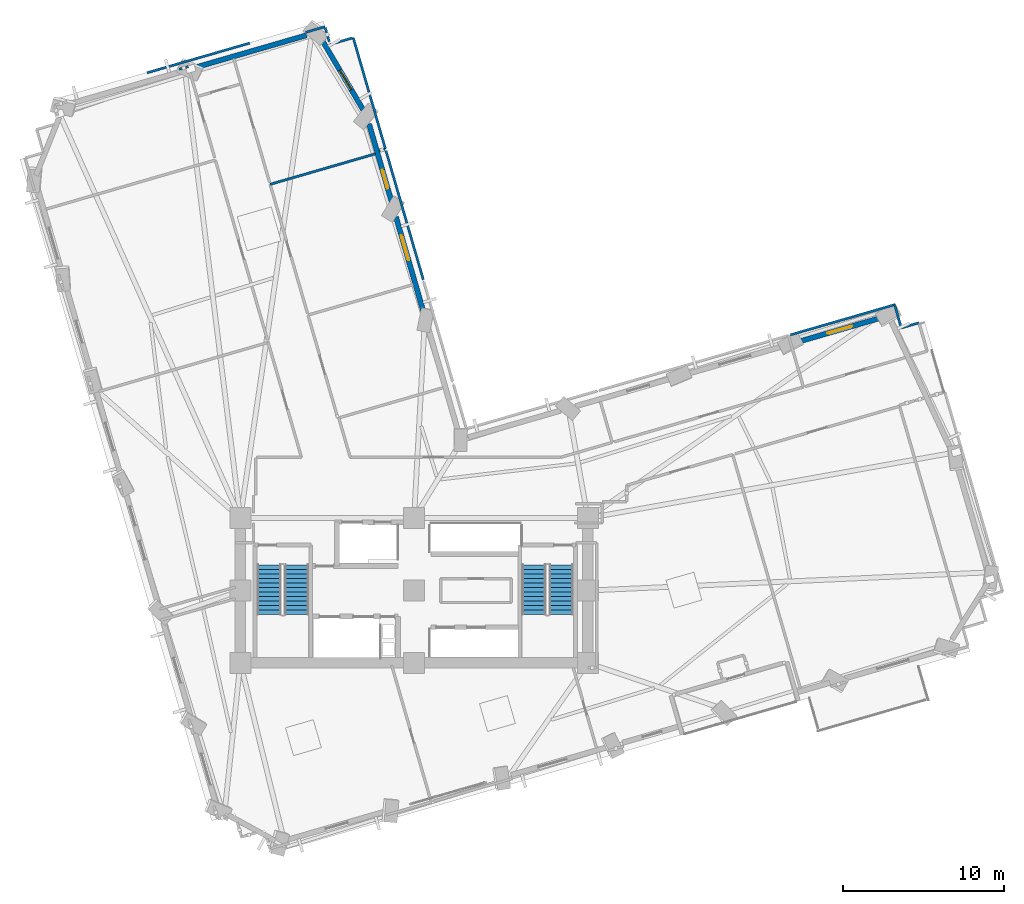
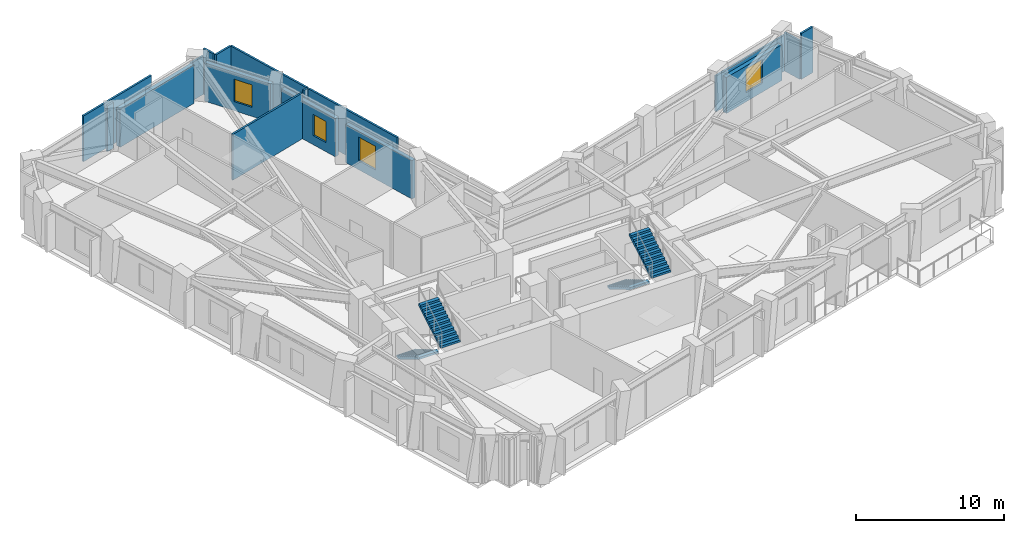
# One storey, part 11 of 15: 17 walls, 4 stair flights, 4 windows, 4 openings, 2 elements without a shape of their own.
"""IFC4 building model written with IfcOpenShell, lengths in metres."""

from ifc_helpers import new_model, si_unit, direction, frame, frame_2d, origin, place, context, subcontext, project, spatial, polyline, rectangle, outline, extrude, material, layer, layer_set, type_object, element, fill, aggregate, save


model = new_model("IFC4")

# Units and contexts
model_context = context("Model", 3, precision=1e-05, world=origin(), true_north=direction((0.0, 1.0)))
body_context = subcontext(model_context, "Body", "Model", "MODEL_VIEW")
ifc_project = project(units=[si_unit("LENGTHUNIT", "METRE"), si_unit("AREAUNIT", "SQUARE_METRE"), si_unit("VOLUMEUNIT", "CUBIC_METRE"), si_unit("PLANEANGLEUNIT", "RADIAN"), si_unit("MASSUNIT", "GRAM", prefix="KILO")], contexts=[model_context])

# Site, building, storey
site_placement = place(None, origin())
site = spatial("IfcSite", under=ifc_project, at=site_placement, CompositionType="ELEMENT")
building_placement = place(site_placement, origin())
building = spatial("IfcBuilding", under=site, at=building_placement, Name="Gaonmaruhae Medical Tower", CompositionType="ELEMENT")
storey_placement = place(building_placement, frame((0.0, 0.0, 92.39990234375)))
storey = spatial("IfcBuildingStorey", under=building, at=storey_placement, Name="L21", CompositionType="ELEMENT", Elevation=92.39990234375)

# Wall, opening, window
ifc_material_1 = material(Name="Precast concrete C45/55", Category="concrete")
ifc_layer_1 = layer(ifc_material_1, 0.320068359375)
ifc_layer_set_1 = layer_set([ifc_layer_1], Name="Precast concrete C45/55")
wall_type_1 = type_object("IfcWallType", Name="EW-320 Lower Precast Masonry-Frame Facade Wall", PredefinedType="SOLIDWALL", material=ifc_layer_set_1)
wall_1_placement = place(storey_placement, frame((48.6630859375, 27.756591796875, 0.0), z_axis=(0.0, 0.0, 1.0), x_axis=(0.960541082189, 0.278138148099, 0.0)))
wall_1 = element("IfcWall", 1, at=wall_1_placement, inside=storey, type_object=wall_type_1, Name="L21 Precast Masonry-Frame Wall E03-EN01", PredefinedType="SOLIDWALL", context=body_context, shape_type="SweptSolid", body=[
    extrude(rectangle(XDim=5.404296875, YDim=0.320068359375, at=frame_2d((2.7021484375, 0.0))), origin(), (0.0, 0.0, 1.0), 2.965087890625),
])
opening_1_placement = place(wall_1_placement, frame((1.898193359375, 0.0, 0.75)))
opening_1 = element("IfcOpeningElement", 2, at=opening_1_placement, cuts=wall_1, Name="Opening WN-01", PredefinedType="OPENING", context=body_context, shape_type="SweptSolid", body=[
    extrude(rectangle(XDim=1.60009765625, YDim=1.949951171875, at=frame_2d((0.800048828125, 0.97509765625))), frame((0.0, 0.169921875, 0.0), z_axis=(0.0, -1.0, 0.0), x_axis=(1.0, 0.0, 0.0)), (0.0, 0.0, 1.0), 0.340087890625),
])
ifc_material_2 = material(Name="Anodised aluminium and Low-E double glazing", Category="aluminium")
window_type_1 = type_object("IfcWindowType", Name="WN-01 Ward Punched Acoustic Window 1600x1950", PartitioningType="SINGLE_PANEL", PredefinedType="WINDOW", material=ifc_material_2)
window_1_placement = place(opening_1_placement, origin())
window_1 = element("IfcWindow", 3, at=window_1_placement, inside=storey, type_object=window_type_1, Name="L21 Modular Facade Window E03", OverallHeight=1.949951171875, OverallWidth=1.60009765625, PartitioningType="SINGLE_PANEL", PredefinedType="WINDOW", context=body_context, shape_type="SweptSolid", body=[
    extrude(rectangle(XDim=1.60009765625, YDim=1.949951171875, at=frame_2d((0.800048828125, 0.97509765625))), frame((0.0, 0.030029296875, 0.0), z_axis=(0.0, -1.0, 0.0), x_axis=(1.0, 0.0, 0.0)), (0.0, 0.0, 1.0), 0.06005859375),
])
fill(opening_1, window_1)

wall_2_placement = place(storey_placement, frame((23.67529296875, 35.524169921875, 0.0), z_axis=(0.0, 0.0, 1.0), x_axis=(0.278160004848, -0.960534752991, 0.0)))
wall_2 = element("IfcWall", 4, at=wall_2_placement, inside=storey, type_object=wall_type_1, Name="L21 Precast Masonry-Frame Wall NE01-NE02", PredefinedType="SOLIDWALL", context=body_context, shape_type="SweptSolid", body=[
    extrude(rectangle(XDim=6.222900390625, YDim=0.320068359375, at=frame_2d((3.111328125, 0.0))), origin(), (0.0, 0.0, 1.0), 3.1650390625),
])
opening_2_placement = place(wall_2_placement, frame((1.208984375, 0.0, 0.75)))
opening_2 = element("IfcOpeningElement", 5, at=opening_2_placement, cuts=wall_2, Name="Opening WN-01", PredefinedType="OPENING", context=body_context, shape_type="SweptSolid", body=[
    extrude(rectangle(XDim=1.60009765625, YDim=1.949951171875, at=frame_2d((0.800048828125, 0.97509765625))), frame((0.0, 0.169921875, 0.0), z_axis=(0.0, -1.0, 0.0), x_axis=(1.0, 0.0, 0.0)), (0.0, 0.0, 1.0), 0.340087890625),
])
window_2_placement = place(opening_2_placement, origin())
window_2 = element("IfcWindow", 6, at=window_2_placement, inside=storey, type_object=window_type_1, Name="L21 Modular Facade Window NE01", OverallHeight=1.949951171875, OverallWidth=1.60009765625, PartitioningType="SINGLE_PANEL", PredefinedType="WINDOW", context=body_context, shape_type="SweptSolid", body=[
    extrude(rectangle(XDim=1.60009765625, YDim=1.949951171875, at=frame_2d((0.800048828125, 0.97509765625))), frame((0.0, 0.030029296875, 0.0), z_axis=(0.0, -1.0, 0.0), x_axis=(1.0, 0.0, 0.0)), (0.0, 0.0, 1.0), 0.06005859375),
])
fill(opening_2, window_2)

wall_3_placement = place(storey_placement, frame((22.002685546875, 41.30078125, 0.0), z_axis=(0.0, 0.0, 1.0), x_axis=(0.278130894343, -0.960543182586, 0.0)))
wall_3 = element("IfcWall", 7, at=wall_3_placement, inside=storey, type_object=wall_type_1, Name="L21 Precast Masonry-Frame Wall NE02-NE03", PredefinedType="SOLIDWALL", context=body_context, shape_type="SweptSolid", body=[
    extrude(rectangle(XDim=5.04736328125, YDim=0.320068359375, at=frame_2d((2.523681640625, 0.0))), origin(), (0.0, 0.0, 1.0), 3.1650390625),
])
opening_3_placement = place(wall_3_placement, frame((2.97314453125, 0.0, 0.75)))
opening_3 = element("IfcOpeningElement", 8, at=opening_3_placement, cuts=wall_3, Name="Opening WN-05", PredefinedType="OPENING", context=body_context, shape_type="SweptSolid", body=[
    extrude(rectangle(XDim=1.199951171875, YDim=1.75, at=frame_2d((0.60009765625, 0.875))), frame((0.0, 0.169921875, 0.0), z_axis=(0.0, -1.0, 0.0), x_axis=(1.0, 0.0, 0.0)), (0.0, 0.0, 1.0), 0.340087890625),
])
window_type_2 = type_object("IfcWindowType", Name="WN-05 Support & Staff Punched Window 1200x1750", PartitioningType="SINGLE_PANEL", PredefinedType="WINDOW", material=ifc_material_2)
window_3_placement = place(opening_3_placement, origin())
window_3 = element("IfcWindow", 9, at=window_3_placement, inside=storey, type_object=window_type_2, Name="L21 Modular Facade Window NE02", OverallHeight=1.75, OverallWidth=1.199951171875, PartitioningType="SINGLE_PANEL", PredefinedType="WINDOW", context=body_context, shape_type="SweptSolid", body=[
    extrude(rectangle(XDim=1.199951171875, YDim=1.75, at=frame_2d((0.60009765625, 0.875))), frame((0.0, 0.030029296875, 0.0), z_axis=(0.0, -1.0, 0.0), x_axis=(1.0, 0.0, 0.0)), (0.0, 0.0, 1.0), 0.06005859375),
])
fill(opening_3, window_3)

wall_4_placement = place(storey_placement, frame((19.021484375, 46.611572265625, 0.0), z_axis=(0.0, 0.0, 1.0), x_axis=(0.508026678392, -0.861341334223, 0.0)))
wall_4 = element("IfcWall", 10, at=wall_4_placement, inside=storey, type_object=wall_type_1, Name="L21 Precast Masonry-Frame Wall NE03-N01", PredefinedType="SOLIDWALL", context=body_context, shape_type="SweptSolid", body=[
    extrude(rectangle(XDim=5.128662109375, YDim=0.320068359375, at=frame_2d((2.564453125, 0.0))), origin(), (0.0, 0.0, 1.0), 3.1650390625),
])
opening_4_placement = place(wall_4_placement, frame((2.293212890625, 0.0, 0.75)))
opening_4 = element("IfcOpeningElement", 11, at=opening_4_placement, cuts=wall_4, Name="Opening WN-03", PredefinedType="OPENING", context=body_context, shape_type="SweptSolid", body=[
    extrude(rectangle(XDim=1.39990234375, YDim=1.85009765625, at=frame_2d((0.699951171875, 0.925048828125))), frame((0.0, 0.169921875, 0.0), z_axis=(0.0, -1.0, 0.0), x_axis=(1.0, 0.0, 0.0)), (0.0, 0.0, 1.0), 0.340087890625),
])
window_type_3 = type_object("IfcWindowType", Name="WN-03 Isolation Ward Punched Window 1400x1850", PartitioningType="SINGLE_PANEL", PredefinedType="WINDOW", material=ifc_material_2)
window_4_placement = place(opening_4_placement, origin())
window_4 = element("IfcWindow", 12, at=window_4_placement, inside=storey, type_object=window_type_3, Name="L21 Modular Facade Window NE03", OverallHeight=1.85009765625, OverallWidth=1.39990234375, PartitioningType="SINGLE_PANEL", PredefinedType="WINDOW", context=body_context, shape_type="SweptSolid", body=[
    extrude(rectangle(XDim=1.39990234375, YDim=1.85009765625, at=frame_2d((0.699951171875, 0.925048828125))), frame((0.0, 0.030029296875, 0.0), z_axis=(0.0, -1.0, 0.0), x_axis=(1.0, 0.0, 0.0)), (0.0, 0.0, 1.0), 0.06005859375),
])
fill(opening_4, window_4)

# Walls
wall_5_placement = place(storey_placement, frame((11.1689453125, 44.800048828125, 0.0), z_axis=(0.0, 0.0, 1.0), x_axis=(0.960539342408, 0.278144156306, 0.0)))
element("IfcWall", 13, at=wall_5_placement, inside=storey, type_object=wall_type_1, Name="L21 Precast Masonry-Frame Wall N01-N02", PredefinedType="SOLIDWALL", context=body_context, shape_type="SweptSolid", body=[
    extrude(rectangle(XDim=7.23095703125, YDim=0.320068359375, at=frame_2d((3.615478515625, 0.0))), origin(), (0.0, 0.0, 1.0), 3.1650390625),
])
ifc_material_3 = material(Name="Gypsum board partition", Category="gypsum")
ifc_layer_2 = layer(ifc_material_3, 0.14990234375)
ifc_layer_set_2 = layer_set([ifc_layer_2], Name="Gypsum board partition")
wall_type_2 = type_object("IfcWallType", Name="PW-150 Rated Clinical Corridor Partition", PredefinedType="PARTITIONING", material=ifc_layer_set_2)
wall_6_placement = place(storey_placement, frame((10.205078125, 44.697998046875, 0.0), z_axis=(0.0, 0.0, 1.0), x_axis=(0.960640226242, 0.277795528628, 0.0)))
element("IfcWall", 14, at=wall_6_placement, inside=storey, type_object=wall_type_2, Name="L21 Interior Partition L21-WOF07-52", PredefinedType="PARTITIONING", context=body_context, shape_type="SweptSolid", body=[
    extrude(rectangle(XDim=0.587158203125, YDim=0.14990234375, at=frame_2d((0.29345703125, 0.0))), origin(), (0.0, 0.0, 1.0), 3.780029296875),
])
wall_7_placement = place(storey_placement, frame((48.18408203125, 28.19091796875, 0.0), z_axis=(0.0, 0.0, 1.0), x_axis=(0.960579012482, 0.278007123612, 0.0)))
element("IfcWall", 15, at=wall_7_placement, inside=storey, type_object=wall_type_2, Name="L21 Interior Partition L21-IE03-69", PredefinedType="PARTITIONING", context=body_context, shape_type="SweptSolid", body=[
    extrude(rectangle(XDim=6.748046875, YDim=0.14990234375, at=frame_2d((3.3740234375, 0.0))), origin(), (0.0, 0.0, 1.0), 2.965087890625),
])
wall_8_placement = place(storey_placement, frame((54.666015625, 30.06689453125, 0.0), z_axis=(0.0, 0.0, 1.0), x_axis=(0.278160888604, -0.960534497065, 0.0)))
element("IfcWall", 16, at=wall_8_placement, inside=storey, type_object=wall_type_2, Name="L21 Interior Partition L21-IE03-70", PredefinedType="PARTITIONING", context=body_context, shape_type="SweptSolid", body=[
    extrude(rectangle(XDim=1.4990234375, YDim=0.14990234375, at=frame_2d((0.74951171875, 0.0))), origin(), (0.0, 0.0, 1.0), 3.1650390625),
])
wall_9_placement = place(storey_placement, frame((55.0830078125, 28.626953125, 0.0), z_axis=(0.0, 0.0, 1.0), x_axis=(0.960523610971, 0.278198477291, 0.0)))
element("IfcWall", 17, at=wall_9_placement, inside=storey, type_object=wall_type_2, Name="L21 Interior Partition L21-IE03-71", PredefinedType="PARTITIONING", context=body_context, shape_type="SweptSolid", body=[
    extrude(rectangle(XDim=1.139892578125, YDim=0.14990234375, at=frame_2d((0.56982421875, 0.0))), origin(), (0.0, 0.0, 1.0), 3.780029296875),
])
wall_10_placement = place(storey_placement, frame((15.85400390625, 37.547119140625, 0.0), z_axis=(0.0, 0.0, 1.0), x_axis=(0.960519935436, 0.278211167335, 0.0)))
element("IfcWall", 18, at=wall_10_placement, inside=storey, type_object=wall_type_2, Name="L21 Interior Partition L21-IN02-77", PredefinedType="PARTITIONING", context=body_context, shape_type="SweptSolid", body=[
    extrude(rectangle(XDim=6.81494140625, YDim=0.14990234375, at=frame_2d((3.407470703125, 0.0))), origin(), (0.0, 0.0, 1.0), 3.780029296875),
])
wall_11_placement = place(storey_placement, frame((23.05810546875, 39.633056640625, 0.0), z_axis=(0.0, 0.0, 1.0), x_axis=(0.278152609406, -0.960536894596, 0.0)))
element("IfcWall", 19, at=wall_11_placement, inside=storey, type_object=wall_type_2, Name="L21 Interior Partition L21-IN02-78", PredefinedType="PARTITIONING", context=body_context, shape_type="SweptSolid", body=[
    extrude(rectangle(XDim=8.340087890625, YDim=0.14990234375, at=frame_2d((4.169921875, 0.0))), origin(), (0.0, 0.0, 1.0), 3.780029296875),
])
wall_12_placement = place(storey_placement, frame((21.02197265625, 46.6640625, 0.0), z_axis=(0.0, 0.0, 1.0), x_axis=(0.278176631297, -0.960529938003, 0.0)))
element("IfcWall", 20, at=wall_12_placement, inside=storey, type_object=wall_type_2, Name="L21 Interior Partition L21-IN03-79", PredefinedType="PARTITIONING", context=body_context, shape_type="SweptSolid", body=[
    extrude(rectangle(XDim=7.2001953125, YDim=0.14990234375, at=frame_2d((3.60009765625, 0.0))), origin(), (0.0, 0.0, 1.0), 3.780029296875),
])
wall_13_placement = place(storey_placement, frame((22.97705078125, 39.73388671875, 0.0), z_axis=(0.0, 0.0, 1.0), x_axis=(-0.961144701931, -0.27604503609, 0.0)))
element("IfcWall", 21, at=wall_13_placement, inside=storey, type_object=wall_type_2, Name="L21 Interior Partition L21-IN03-80", PredefinedType="PARTITIONING", context=body_context, shape_type="SweptSolid", body=[
    extrude(rectangle(XDim=0.365234375, YDim=0.14990234375, at=frame_2d((0.1826171875, 0.0))), origin(), (0.0, 0.0, 1.0), 3.780029296875),
])
wall_14_placement = place(storey_placement, frame((18.06201171875, 46.993896484375, 0.0), z_axis=(0.0, 0.0, 1.0), x_axis=(0.960516252311, 0.278223882956, 0.0)))
element("IfcWall", 22, at=wall_14_placement, inside=storey, type_object=wall_type_2, Name="L21 Interior Partition L21-IN03-82", PredefinedType="PARTITIONING", context=body_context, shape_type="SweptSolid", body=[
    extrude(rectangle(XDim=1.251220703125, YDim=0.14990234375, at=frame_2d((0.62548828125, 0.0))), origin(), (0.0, 0.0, 1.0), 3.1650390625),
])
wall_15_placement = place(storey_placement, frame((19.278076171875, 47.2939453125, 0.0), z_axis=(0.0, 0.0, 1.0), x_axis=(0.277539652821, -0.960714182841, 0.0)))
element("IfcWall", 23, at=wall_15_placement, inside=storey, type_object=wall_type_2, Name="L21 Interior Partition L21-IN03-83", PredefinedType="PARTITIONING", context=body_context, shape_type="SweptSolid", body=[
    extrude(rectangle(XDim=0.914794921875, YDim=0.14990234375, at=frame_2d((0.45751953125, 0.0))), origin(), (0.0, 0.0, 1.0), 3.780029296875),
])
wall_16_placement = place(storey_placement, frame((19.5810546875, 46.2470703125, 0.0), z_axis=(0.0, 0.0, 1.0), x_axis=(0.960642326739, 0.27778826483, 0.0)))
element("IfcWall", 24, at=wall_16_placement, inside=storey, type_object=wall_type_2, Name="L21 Interior Partition L21-IN03-84", PredefinedType="PARTITIONING", context=body_context, shape_type="SweptSolid", body=[
    extrude(rectangle(XDim=1.4501953125, YDim=0.14990234375, at=frame_2d((0.72509765625, 0.0))), origin(), (0.0, 0.0, 1.0), 3.780029296875),
])
wall_17_placement = place(storey_placement, frame((8.202880859375, 44.48193359375, 0.0), z_axis=(0.0, 0.0, 1.0), x_axis=(0.960529886678, 0.278176808521, 0.0)))
element("IfcWall", 25, at=wall_17_placement, inside=storey, type_object=wall_type_2, Name="L21 Interior Partition L21-RM01-86", PredefinedType="PARTITIONING", context=body_context, shape_type="SweptSolid", body=[
    extrude(rectangle(XDim=6.640380859375, YDim=0.14990234375, at=frame_2d((3.3203125, 0.0))), origin(), (0.0, 0.0, 1.0), 3.780029296875),
])

# Stair, stair flights
ifc_material_4 = material(Name="Concrete C40/50", Category="concrete")
stair_type = type_object("IfcStairType", Name="ST-T1 Primary Core Escape Dogleg Stair", PredefinedType="TWO_QUARTER_TURN_STAIR", material=ifc_material_4)
stair_1_placement = place(storey_placement, origin())
stair_1 = element("IfcStair", 26, at=stair_1_placement, inside=storey, type_object=stair_type, Name="L21 Protected Escape Stair ST-01", PredefinedType="TWO_QUARTER_TURN_STAIR")
stair_flight_type = type_object("IfcStairFlightType", Name="SF-T1 Primary Core Precast Stair Flight", PredefinedType="STRAIGHT", material=ifc_material_4)
stair_flight_1_placement = place(storey_placement, frame((15.800048828125, 13.89990234375, 0.0), z_axis=(0.0, 0.0, 1.0), x_axis=(0.0, -1.0, 0.0)))
stair_flight_1 = element("IfcStairFlight", 27, at=stair_flight_1_placement, type_object=stair_flight_type, Name="ST-01 flight 1", NumberOfRisers=12, NumberOfTreads=11, PredefinedType="STRAIGHT", RiserHeight=0.166666667, TreadLength=0.28, context=body_context, shape_type="SweptSolid", body=[
    extrude(outline(polyline([(0.0, 0.0), (0.0, 0.166748046875), (0.280029296875, 0.166748046875), (0.280029296875, 0.333251953125), (0.56005859375, 0.333251953125), (0.56005859375, 0.5), (0.840087890625, 0.5), (0.840087890625, 0.666748046875), (1.1201171875, 0.666748046875), (1.1201171875, 0.833251953125), (1.39990234375, 0.833251953125), (1.39990234375, 1.0), (1.679931640625, 1.0), (1.679931640625, 1.166748046875), (1.9599609375, 1.166748046875), (1.9599609375, 1.333251953125), (2.239990234375, 1.333251953125), (2.239990234375, 1.5), (2.52001953125, 1.5), (2.52001953125, 1.666748046875), (2.800048828125, 1.666748046875), (2.800048828125, 1.833251953125), (3.080078125, 1.833251953125), (3.080078125, 2.0), (3.080078125, 1.658935546875), (0.29296875, 0.0), (0.0, 0.0)])), frame((0.0, 0.75, 0.0), z_axis=(0.0, -1.0, 0.0), x_axis=(1.0, 0.0, 0.0)), (0.0, 0.0, 1.0), 1.5),
])
stair_flight_2_placement = place(storey_placement, frame((17.5, 10.820068359375, 2.0), z_axis=(0.0, 0.0, 1.0), x_axis=(0.0, 1.0, 0.0)))
stair_flight_2 = element("IfcStairFlight", 28, at=stair_flight_2_placement, type_object=stair_flight_type, Name="ST-01 flight 2", NumberOfRisers=12, NumberOfTreads=11, PredefinedType="STRAIGHT", RiserHeight=0.166666667, TreadLength=0.28, context=body_context, shape_type="SweptSolid", body=[
    extrude(outline(polyline([(0.0, 0.0), (0.0, 0.166748046875), (0.280029296875, 0.166748046875), (0.280029296875, 0.333251953125), (0.56005859375, 0.333251953125), (0.56005859375, 0.5), (0.840087890625, 0.5), (0.840087890625, 0.666748046875), (1.1201171875, 0.666748046875), (1.1201171875, 0.833251953125), (1.39990234375, 0.833251953125), (1.39990234375, 1.0), (1.679931640625, 1.0), (1.679931640625, 1.166748046875), (1.9599609375, 1.166748046875), (1.9599609375, 1.333251953125), (2.239990234375, 1.333251953125), (2.239990234375, 1.5), (2.52001953125, 1.5), (2.52001953125, 1.666748046875), (2.800048828125, 1.666748046875), (2.800048828125, 1.833251953125), (3.080078125, 1.833251953125), (3.080078125, 2.0), (3.080078125, 1.658935546875), (0.29296875, 0.0), (0.0, 0.0)])), frame((0.0, 0.75, 0.0), z_axis=(0.0, -1.0, 0.0), x_axis=(1.0, 0.0, 0.0)), (0.0, 0.0, 1.0), 1.5),
])
aggregate(stair_1, [stair_flight_1, stair_flight_2])

stair_2_placement = place(storey_placement, origin())
stair_2 = element("IfcStair", 29, at=stair_2_placement, inside=storey, type_object=stair_type, Name="L21 Protected Escape Stair ST-02", PredefinedType="TWO_QUARTER_TURN_STAIR")
stair_flight_3_placement = place(storey_placement, frame((32.25, 13.89990234375, 0.0), z_axis=(0.0, 0.0, 1.0), x_axis=(0.0, -1.0, 0.0)))
stair_flight_3 = element("IfcStairFlight", 30, at=stair_flight_3_placement, type_object=stair_flight_type, Name="ST-02 flight 1", NumberOfRisers=12, NumberOfTreads=11, PredefinedType="STRAIGHT", RiserHeight=0.166666667, TreadLength=0.28, context=body_context, shape_type="SweptSolid", body=[
    extrude(outline(polyline([(0.0, 0.0), (0.0, 0.166748046875), (0.280029296875, 0.166748046875), (0.280029296875, 0.333251953125), (0.56005859375, 0.333251953125), (0.56005859375, 0.5), (0.840087890625, 0.5), (0.840087890625, 0.666748046875), (1.1201171875, 0.666748046875), (1.1201171875, 0.833251953125), (1.39990234375, 0.833251953125), (1.39990234375, 1.0), (1.679931640625, 1.0), (1.679931640625, 1.166748046875), (1.9599609375, 1.166748046875), (1.9599609375, 1.333251953125), (2.239990234375, 1.333251953125), (2.239990234375, 1.5), (2.52001953125, 1.5), (2.52001953125, 1.666748046875), (2.800048828125, 1.666748046875), (2.800048828125, 1.833251953125), (3.080078125, 1.833251953125), (3.080078125, 2.0), (3.080078125, 1.658935546875), (0.29296875, 0.0), (0.0, 0.0)])), frame((0.0, 0.75, 0.0), z_axis=(0.0, -1.0, 0.0), x_axis=(1.0, 0.0, 0.0)), (0.0, 0.0, 1.0), 1.5),
])
stair_flight_4_placement = place(storey_placement, frame((33.949951171875, 10.820068359375, 2.0), z_axis=(0.0, 0.0, 1.0), x_axis=(0.0, 1.0, 0.0)))
stair_flight_4 = element("IfcStairFlight", 31, at=stair_flight_4_placement, type_object=stair_flight_type, Name="ST-02 flight 2", NumberOfRisers=12, NumberOfTreads=11, PredefinedType="STRAIGHT", RiserHeight=0.166666667, TreadLength=0.28, context=body_context, shape_type="SweptSolid", body=[
    extrude(outline(polyline([(0.0, 0.0), (0.0, 0.166748046875), (0.280029296875, 0.166748046875), (0.280029296875, 0.333251953125), (0.56005859375, 0.333251953125), (0.56005859375, 0.5), (0.840087890625, 0.5), (0.840087890625, 0.666748046875), (1.1201171875, 0.666748046875), (1.1201171875, 0.833251953125), (1.39990234375, 0.833251953125), (1.39990234375, 1.0), (1.679931640625, 1.0), (1.679931640625, 1.166748046875), (1.9599609375, 1.166748046875), (1.9599609375, 1.333251953125), (2.239990234375, 1.333251953125), (2.239990234375, 1.5), (2.52001953125, 1.5), (2.52001953125, 1.666748046875), (2.800048828125, 1.666748046875), (2.800048828125, 1.833251953125), (3.080078125, 1.833251953125), (3.080078125, 2.0), (3.080078125, 1.658935546875), (0.29296875, 0.0), (0.0, 0.0)])), frame((0.0, 0.75, 0.0), z_axis=(0.0, -1.0, 0.0), x_axis=(1.0, 0.0, 0.0)), (0.0, 0.0, 1.0), 1.5),
])
aggregate(stair_2, [stair_flight_3, stair_flight_4])

save(model, "model.ifc")
